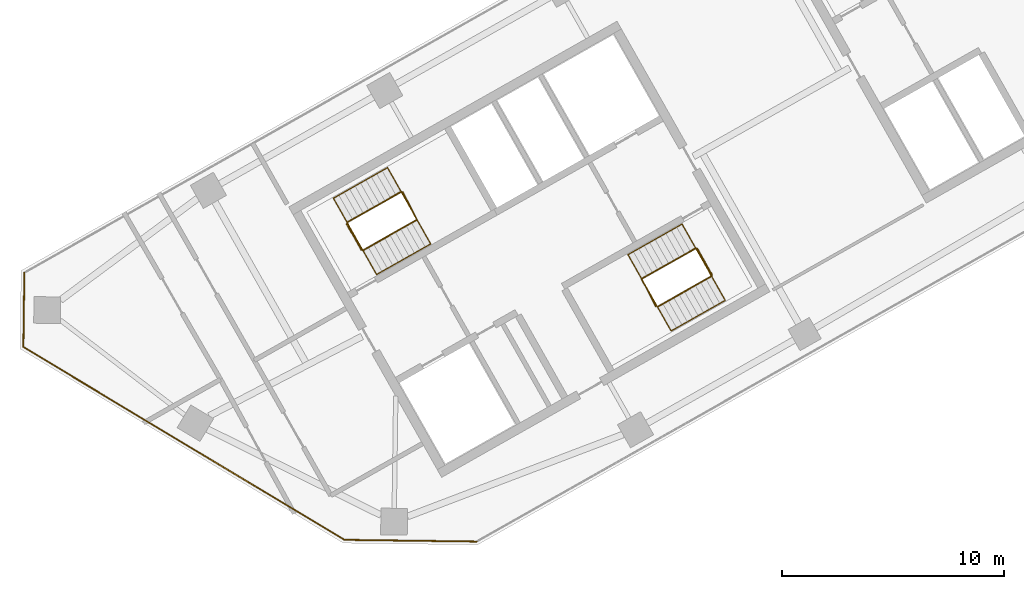
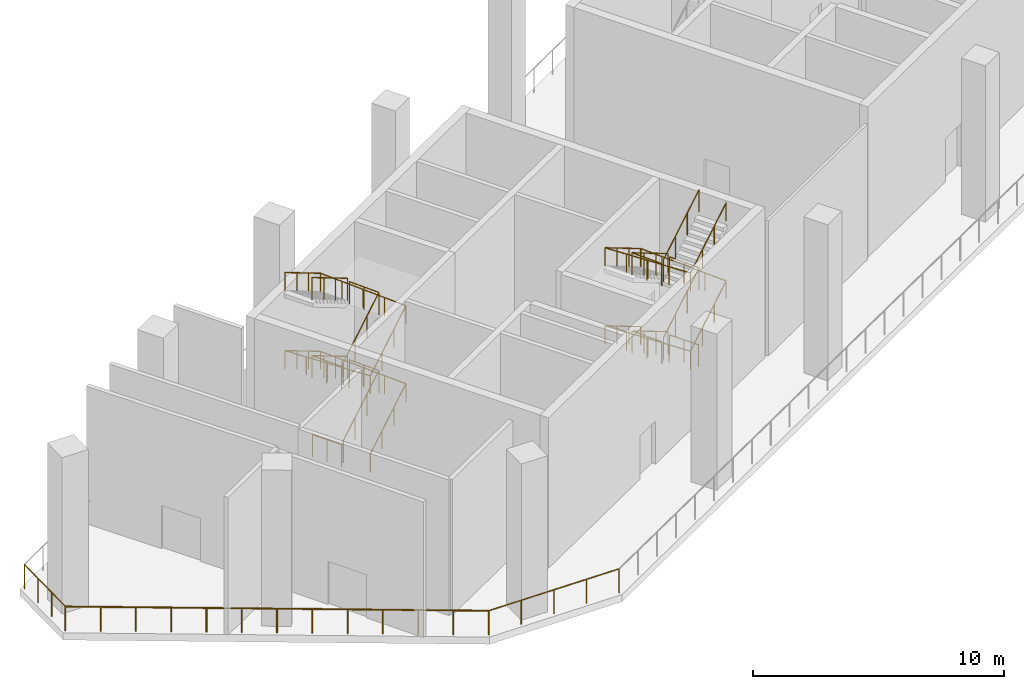
# One storey, part 5 of 6: 15 railings.
"""IFC4 building model written with IfcOpenShell, lengths in metres."""

from ifc_helpers import new_model, si_unit, direction, frame, origin, origin_2d, place, context, subcontext, project, spatial, circle, extrude, material, type_object, element, save


model = new_model("IFC4")

# Units and contexts
model_context = context("Model", 3, precision=1e-05, world=origin(), true_north=direction((0.0, 1.0)))
body_context = subcontext(model_context, "Body", "Model", "MODEL_VIEW")
ifc_project = project(units=[si_unit("LENGTHUNIT", "METRE"), si_unit("AREAUNIT", "SQUARE_METRE"), si_unit("VOLUMEUNIT", "CUBIC_METRE"), si_unit("PLANEANGLEUNIT", "RADIAN"), si_unit("MASSUNIT", "GRAM", prefix="KILO")], contexts=[model_context])

# Site, building, storey
site_placement = place(None, origin())
site = spatial("IfcSite", under=ifc_project, at=site_placement, CompositionType="ELEMENT")
building_placement = place(site_placement, origin())
building = spatial("IfcBuilding", under=site, at=building_placement, Name="Binnacle Exchange Tower", CompositionType="ELEMENT")
storey_placement = place(building_placement, frame((0.0, 0.0, 285.5)))
storey = spatial("IfcBuildingStorey", under=building, at=storey_placement, Name="L64", CompositionType="ELEMENT", Elevation=285.5)

# Railings
ifc_material_1 = material(Name="Bronze anodised aluminium frame", Category="aluminium")
railing_type_1 = type_object("IfcRailingType", Name="GUARD 1200", PredefinedType="GUARDRAIL", material=ifc_material_1)
railing_1_placement = place(storey_placement, frame((-38.136474609375, 26.595703125, 0.0)))
element("IfcRailing", 1, at=railing_1_placement, inside=storey, type_object=railing_type_1, Name="Slab edge guard 2 L64", PredefinedType="GUARDRAIL", context=body_context, shape_type="SweptSolid", body=[
    extrude(circle(Radius=0.02392578125, at=origin_2d()), frame((0.0, 0.0, 1.17578125), z_axis=(-0.999914244792, 0.013095917748, 0.0), x_axis=(-0.013095917748, -0.999914244792, 0.0)), (0.0, 0.0, 1.0), 5.965576171875),
    extrude(circle(Radius=0.02099609375, at=origin_2d()), origin(), (0.0, 0.0, 1.0), 1.15185546875),
    extrude(circle(Radius=0.02099609375, at=origin_2d()), frame((-1.4912109375, 0.01953125, 0.0)), (0.0, 0.0, 1.0), 1.15185546875),
    extrude(circle(Radius=0.02099609375, at=origin_2d()), frame((-2.982421875, 0.0390625, 0.0)), (0.0, 0.0, 1.0), 1.15185546875),
    extrude(circle(Radius=0.02099609375, at=origin_2d()), frame((-4.473876953125, 0.05859375, 0.0)), (0.0, 0.0, 1.0), 1.15185546875),
    extrude(circle(Radius=0.02099609375, at=origin_2d()), frame((-5.965087890625, 0.078125, 0.0)), (0.0, 0.0, 1.0), 1.15185546875),
])
railing_2_placement = place(storey_placement, frame((-44.1015625, 26.673828125, 0.0)))
element("IfcRailing", 2, at=railing_2_placement, inside=storey, type_object=railing_type_1, Name="Slab edge guard 3 L64", PredefinedType="GUARDRAIL", context=body_context, shape_type="SweptSolid", body=[
    extrude(circle(Radius=0.02392578125, at=origin_2d()), frame((0.0, 0.0, 1.17578125), z_axis=(-0.857164642958, 0.515042498113, 0.0), x_axis=(-0.515042498113, -0.857164642958, 0.0)), (0.0, 0.0, 1.0), 16.873291015625),
    extrude(circle(Radius=0.02099609375, at=origin_2d()), origin(), (0.0, 0.0, 1.0), 1.15185546875),
    extrude(circle(Radius=0.02099609375, at=origin_2d()), frame((-1.205322265625, 0.72412109375, 0.0)), (0.0, 0.0, 1.0), 1.15185546875),
    extrude(circle(Radius=0.02099609375, at=origin_2d()), frame((-2.41064453125, 1.448486328125, 0.0)), (0.0, 0.0, 1.0), 1.15185546875),
    extrude(circle(Radius=0.02099609375, at=origin_2d()), frame((-3.61572265625, 2.172607421875, 0.0)), (0.0, 0.0, 1.0), 1.15185546875),
    extrude(circle(Radius=0.02099609375, at=origin_2d()), frame((-4.821044921875, 2.896728515625, 0.0)), (0.0, 0.0, 1.0), 1.15185546875),
    extrude(circle(Radius=0.02099609375, at=origin_2d()), frame((-6.0263671875, 3.62109375, 0.0)), (0.0, 0.0, 1.0), 1.15185546875),
    extrude(circle(Radius=0.02099609375, at=origin_2d()), frame((-7.2314453125, 4.34521484375, 0.0)), (0.0, 0.0, 1.0), 1.15185546875),
    extrude(circle(Radius=0.02099609375, at=origin_2d()), frame((-8.436767578125, 5.0693359375, 0.0)), (0.0, 0.0, 1.0), 1.15185546875),
    extrude(circle(Radius=0.02099609375, at=origin_2d()), frame((-9.64208984375, 5.793701171875, 0.0)), (0.0, 0.0, 1.0), 1.15185546875),
    extrude(circle(Radius=0.02099609375, at=origin_2d()), frame((-10.847412109375, 6.517822265625, 0.0)), (0.0, 0.0, 1.0), 1.15185546875),
    extrude(circle(Radius=0.02099609375, at=origin_2d()), frame((-12.052734375, 7.241943359375, 0.0)), (0.0, 0.0, 1.0), 1.15185546875),
    extrude(circle(Radius=0.02099609375, at=origin_2d()), frame((-13.2578125, 7.96630859375, 0.0)), (0.0, 0.0, 1.0), 1.15185546875),
    extrude(circle(Radius=0.02099609375, at=origin_2d()), frame((-14.463134765625, 8.6904296875, 0.0)), (0.0, 0.0, 1.0), 1.15185546875),
])
railing_3_placement = place(storey_placement, frame((-58.564697265625, 35.3642578125, 0.0)))
element("IfcRailing", 3, at=railing_3_placement, inside=storey, type_object=railing_type_1, Name="Slab edge guard 4 L64", PredefinedType="GUARDRAIL", context=body_context, shape_type="SweptSolid", body=[
    extrude(circle(Radius=0.02392578125, at=origin_2d()), frame((0.0, 0.0, 1.17578125), z_axis=(0.013029395456, 0.999915113824, 0.0), x_axis=(-0.999915113824, 0.013029395456, 0.0)), (0.0, 0.0, 1.0), 3.35400390625),
    extrude(circle(Radius=0.02099609375, at=origin_2d()), origin(), (0.0, 0.0, 1.0), 1.15185546875),
    extrude(circle(Radius=0.02099609375, at=origin_2d()), frame((0.0146484375, 1.117919921875, 0.0)), (0.0, 0.0, 1.0), 1.15185546875),
    extrude(circle(Radius=0.02099609375, at=origin_2d()), frame((0.029052734375, 2.23583984375, 0.0)), (0.0, 0.0, 1.0), 1.15185546875),
    extrude(circle(Radius=0.02099609375, at=origin_2d()), frame((0.043701171875, 3.353759765625, 0.0)), (0.0, 0.0, 1.0), 1.15185546875),
])
ifc_material_2 = material(Name="Steel guard rail", Category="steel")
railing_type_2 = type_object("IfcRailingType", Name="STAIR GUARD 1100", PredefinedType="GUARDRAIL", material=ifc_material_2)
railing_4_placement = place(storey_placement, frame((-43.26171875, 39.71728515625, 0.172607421875)))
element("IfcRailing", 4, at=railing_4_placement, inside=storey, type_object=railing_type_2, Name="L64 STA1 stair guard 1", PredefinedType="GUARDRAIL", context=body_context, shape_type="SweptSolid", body=[
    extrude(circle(Radius=0.02392578125, at=origin_2d()), frame((0.0, 0.0, 1.076171875), z_axis=(0.740737961854, 0.419123222656, 0.525017138862), x_axis=(-0.492453686477, 0.870338650569, 0.0)), (0.0, 0.0, 1.0), 3.2900390625),
    extrude(circle(Radius=0.02392578125, at=origin_2d()), frame((2.43701171875, 1.37890625, 2.80322265625), z_axis=(-0.461100321709, 0.887348011391, 0.0), x_axis=(-0.887348011391, -0.461100321709, 0.0)), (0.0, 0.0, 1.0), 1.40087890625),
    extrude(circle(Radius=0.02099609375, at=origin_2d()), origin(), (0.0, 0.0, 1.0), 1.052001953125),
    extrude(circle(Radius=0.02099609375, at=origin_2d()), frame((0.812255859375, 0.459716796875, 0.57568359375)), (0.0, 0.0, 1.0), 1.052001953125),
    extrude(circle(Radius=0.02099609375, at=origin_2d()), frame((1.624755859375, 0.919189453125, 1.151611328125)), (0.0, 0.0, 1.0), 1.052001953125),
    extrude(circle(Radius=0.02099609375, at=origin_2d()), frame((2.43701171875, 1.37890625, 1.727294921875)), (0.0, 0.0, 1.0), 1.052001953125),
    extrude(circle(Radius=0.02099609375, at=origin_2d()), frame((2.114013671875, 2.00048828125, 1.727294921875)), (0.0, 0.0, 1.0), 1.052001953125),
    extrude(circle(Radius=0.02099609375, at=origin_2d()), frame((1.791015625, 2.6220703125, 1.727294921875)), (0.0, 0.0, 1.0), 1.052001953125),
])
railing_5_placement = place(storey_placement, frame((-41.538818359375, 42.358154296875, 2.07275390625)))
element("IfcRailing", 5, at=railing_5_placement, inside=storey, type_object=railing_type_2, Name="L64 STA1 stair guard 2", PredefinedType="GUARDRAIL", context=body_context, shape_type="SweptSolid", body=[
    extrude(circle(Radius=0.02392578125, at=origin_2d()), frame((0.0, 0.0, 1.076171875), z_axis=(-0.740737961854, -0.419123222656, 0.525017138862), x_axis=(0.492453686477, -0.870338650569, 0.0)), (0.0, 0.0, 1.0), 3.2900390625),
    extrude(circle(Radius=0.02392578125, at=origin_2d()), frame((-2.43701171875, -1.37890625, 2.80322265625), z_axis=(0.461171632143, -0.887310952094, 0.0), x_axis=(0.887310952094, 0.461171632143, 0.0)), (0.0, 0.0, 1.0), 1.40087890625),
    extrude(circle(Radius=0.02099609375, at=origin_2d()), origin(), (0.0, 0.0, 1.0), 1.052001953125),
    extrude(circle(Radius=0.02099609375, at=origin_2d()), frame((-0.812255859375, -0.459716796875, 0.57568359375)), (0.0, 0.0, 1.0), 1.052001953125),
    extrude(circle(Radius=0.02099609375, at=origin_2d()), frame((-1.624755859375, -0.919189453125, 1.151611328125)), (0.0, 0.0, 1.0), 1.052001953125),
    extrude(circle(Radius=0.02099609375, at=origin_2d()), frame((-2.43701171875, -1.37890625, 1.727294921875)), (0.0, 0.0, 1.0), 1.052001953125),
    extrude(circle(Radius=0.02099609375, at=origin_2d()), frame((-2.114013671875, -2.00048828125, 1.727294921875)), (0.0, 0.0, 1.0), 1.052001953125),
    extrude(circle(Radius=0.02099609375, at=origin_2d()), frame((-1.791015625, -2.621826171875, 1.727294921875)), (0.0, 0.0, 1.0), 1.052001953125),
])
railing_6_placement = place(storey_placement, frame((-43.26171875, 39.71728515625, 3.97265625)))
element("IfcRailing", 6, at=railing_6_placement, inside=storey, type_object=railing_type_2, Name="L64 STA1 stair guard 3", PredefinedType="GUARDRAIL", context=body_context, shape_type="SweptSolid", body=[
    extrude(circle(Radius=0.02392578125, at=origin_2d()), frame((0.0, 0.0, 1.076171875), z_axis=(0.740737961854, 0.419123222656, 0.525017138862), x_axis=(-0.492453686477, 0.870338650569, 0.0)), (0.0, 0.0, 1.0), 3.2900390625),
    extrude(circle(Radius=0.02392578125, at=origin_2d()), frame((2.43701171875, 1.37890625, 2.80322265625), z_axis=(-0.461100321709, 0.887348011391, 0.0), x_axis=(-0.887348011391, -0.461100321709, 0.0)), (0.0, 0.0, 1.0), 1.40087890625),
    extrude(circle(Radius=0.02099609375, at=origin_2d()), origin(), (0.0, 0.0, 1.0), 1.052001953125),
    extrude(circle(Radius=0.02099609375, at=origin_2d()), frame((0.812255859375, 0.459716796875, 0.57568359375)), (0.0, 0.0, 1.0), 1.052001953125),
    extrude(circle(Radius=0.02099609375, at=origin_2d()), frame((1.624755859375, 0.919189453125, 1.151611328125)), (0.0, 0.0, 1.0), 1.052001953125),
    extrude(circle(Radius=0.02099609375, at=origin_2d()), frame((2.43701171875, 1.37890625, 1.727294921875)), (0.0, 0.0, 1.0), 1.052001953125),
    extrude(circle(Radius=0.02099609375, at=origin_2d()), frame((2.114013671875, 2.00048828125, 1.727294921875)), (0.0, 0.0, 1.0), 1.052001953125),
    extrude(circle(Radius=0.02099609375, at=origin_2d()), frame((1.791015625, 2.6220703125, 1.727294921875)), (0.0, 0.0, 1.0), 1.052001953125),
])
railing_7_placement = place(storey_placement, frame((-41.538818359375, 42.358154296875, 5.872802734375)))
element("IfcRailing", 7, at=railing_7_placement, inside=storey, type_object=railing_type_2, Name="L64 STA1 stair guard 4", PredefinedType="GUARDRAIL", context=body_context, shape_type="SweptSolid", body=[
    extrude(circle(Radius=0.02392578125, at=origin_2d()), frame((0.0, 0.0, 1.076171875), z_axis=(-0.740737961854, -0.419123222656, 0.525017138862), x_axis=(0.492453686477, -0.870338650569, 0.0)), (0.0, 0.0, 1.0), 3.2900390625),
    extrude(circle(Radius=0.02099609375, at=origin_2d()), origin(), (0.0, 0.0, 1.0), 1.052001953125),
    extrude(circle(Radius=0.02099609375, at=origin_2d()), frame((-0.812255859375, -0.459716796875, 0.57568359375)), (0.0, 0.0, 1.0), 1.052001953125),
    extrude(circle(Radius=0.02099609375, at=origin_2d()), frame((-1.624755859375, -0.919189453125, 1.151611328125)), (0.0, 0.0, 1.0), 1.052001953125),
    extrude(circle(Radius=0.02099609375, at=origin_2d()), frame((-2.43701171875, -1.37890625, 1.727294921875)), (0.0, 0.0, 1.0), 1.052001953125),
])
railing_8_placement = place(storey_placement, frame((-43.329833984375, 39.736328125, 0.0)))
element("IfcRailing", 8, at=railing_8_placement, inside=storey, type_object=railing_type_2, Name="L64 STA1 stair guard 5", PredefinedType="GUARDRAIL", context=body_context, shape_type="SweptSolid", body=[
    extrude(circle(Radius=0.02392578125, at=origin_2d()), frame((0.0, 0.0, 1.076171875), z_axis=(-0.4924922531, 0.870316827734, 0.0), x_axis=(-0.870316827734, -0.4924922531, 0.0)), (0.0, 0.0, 1.0), 1.349853515625),
    extrude(circle(Radius=0.02099609375, at=origin_2d()), origin(), (0.0, 0.0, 1.0), 1.052001953125),
    extrude(circle(Radius=0.02099609375, at=origin_2d()), frame((-0.33251953125, 0.58740234375, 0.0)), (0.0, 0.0, 1.0), 1.052001953125),
    extrude(circle(Radius=0.02099609375, at=origin_2d()), frame((-0.664794921875, 1.1748046875, 0.0)), (0.0, 0.0, 1.0), 1.052001953125),
])
railing_9_placement = place(storey_placement, frame((-28.265380859375, 39.814453125, 0.172607421875)))
element("IfcRailing", 9, at=railing_9_placement, inside=storey, type_object=railing_type_2, Name="L64 STA2 stair guard 1", PredefinedType="GUARDRAIL", context=body_context, shape_type="SweptSolid", body=[
    extrude(circle(Radius=0.02392578125, at=origin_2d()), frame((0.0, 0.0, 1.076171875), z_axis=(-0.740760999345, -0.419062048017, 0.525033467278), x_axis=(0.492387636113, -0.870376019777, 0.0)), (0.0, 0.0, 1.0), 3.289794921875),
    extrude(circle(Radius=0.02392578125, at=origin_2d()), frame((-2.43701171875, -1.378662109375, 2.80322265625), z_axis=(0.460963092712, -0.887419307406, 0.0), x_axis=(0.887419307406, 0.460963092712, 0.0)), (0.0, 0.0, 1.0), 1.40087890625),
    extrude(circle(Radius=0.02099609375, at=origin_2d()), origin(), (0.0, 0.0, 1.0), 1.052001953125),
    extrude(circle(Radius=0.02099609375, at=origin_2d()), frame((-0.812255859375, -0.45947265625, 0.57568359375)), (0.0, 0.0, 1.0), 1.052001953125),
    extrude(circle(Radius=0.02099609375, at=origin_2d()), frame((-1.624755859375, -0.919189453125, 1.151611328125)), (0.0, 0.0, 1.0), 1.052001953125),
    extrude(circle(Radius=0.02099609375, at=origin_2d()), frame((-2.43701171875, -1.378662109375, 1.727294921875)), (0.0, 0.0, 1.0), 1.052001953125),
    extrude(circle(Radius=0.02099609375, at=origin_2d()), frame((-2.1142578125, -2.000244140625, 1.727294921875)), (0.0, 0.0, 1.0), 1.052001953125),
    extrude(circle(Radius=0.02099609375, at=origin_2d()), frame((-1.791259765625, -2.621826171875, 1.727294921875)), (0.0, 0.0, 1.0), 1.052001953125),
])
railing_10_placement = place(storey_placement, frame((-29.988525390625, 37.173583984375, 2.07275390625)))
element("IfcRailing", 10, at=railing_10_placement, inside=storey, type_object=railing_type_2, Name="L64 STA2 stair guard 2", PredefinedType="GUARDRAIL", context=body_context, shape_type="SweptSolid", body=[
    extrude(circle(Radius=0.02392578125, at=origin_2d()), frame((0.0, 0.0, 1.076171875), z_axis=(0.740737961854, 0.419123222656, 0.525017138862), x_axis=(-0.492453686477, 0.870338650569, 0.0)), (0.0, 0.0, 1.0), 3.2900390625),
    extrude(circle(Radius=0.02392578125, at=origin_2d()), frame((2.43701171875, 1.37890625, 2.80322265625), z_axis=(-0.460963092712, 0.887419307406, 0.0), x_axis=(-0.887419307406, -0.460963092712, 0.0)), (0.0, 0.0, 1.0), 1.40087890625),
    extrude(circle(Radius=0.02099609375, at=origin_2d()), origin(), (0.0, 0.0, 1.0), 1.052001953125),
    extrude(circle(Radius=0.02099609375, at=origin_2d()), frame((0.812255859375, 0.459716796875, 0.57568359375)), (0.0, 0.0, 1.0), 1.052001953125),
    extrude(circle(Radius=0.02099609375, at=origin_2d()), frame((1.624755859375, 0.919189453125, 1.151611328125)), (0.0, 0.0, 1.0), 1.052001953125),
    extrude(circle(Radius=0.02099609375, at=origin_2d()), frame((2.43701171875, 1.37890625, 1.727294921875)), (0.0, 0.0, 1.0), 1.052001953125),
    extrude(circle(Radius=0.02099609375, at=origin_2d()), frame((2.1142578125, 2.00048828125, 1.727294921875)), (0.0, 0.0, 1.0), 1.052001953125),
    extrude(circle(Radius=0.02099609375, at=origin_2d()), frame((1.791259765625, 2.6220703125, 1.727294921875)), (0.0, 0.0, 1.0), 1.052001953125),
])
railing_11_placement = place(storey_placement, frame((-28.265380859375, 39.814453125, 3.97265625)))
element("IfcRailing", 11, at=railing_11_placement, inside=storey, type_object=railing_type_2, Name="L64 STA2 stair guard 3", PredefinedType="GUARDRAIL", context=body_context, shape_type="SweptSolid", body=[
    extrude(circle(Radius=0.02392578125, at=origin_2d()), frame((0.0, 0.0, 1.076171875), z_axis=(-0.740760999345, -0.419062048017, 0.525033467278), x_axis=(0.492387636113, -0.870376019777, 0.0)), (0.0, 0.0, 1.0), 3.289794921875),
    extrude(circle(Radius=0.02392578125, at=origin_2d()), frame((-2.43701171875, -1.378662109375, 2.80322265625), z_axis=(0.460963092712, -0.887419307406, 0.0), x_axis=(0.887419307406, 0.460963092712, 0.0)), (0.0, 0.0, 1.0), 1.40087890625),
    extrude(circle(Radius=0.02099609375, at=origin_2d()), origin(), (0.0, 0.0, 1.0), 1.052001953125),
    extrude(circle(Radius=0.02099609375, at=origin_2d()), frame((-0.812255859375, -0.45947265625, 0.57568359375)), (0.0, 0.0, 1.0), 1.052001953125),
    extrude(circle(Radius=0.02099609375, at=origin_2d()), frame((-1.624755859375, -0.919189453125, 1.151611328125)), (0.0, 0.0, 1.0), 1.052001953125),
    extrude(circle(Radius=0.02099609375, at=origin_2d()), frame((-2.43701171875, -1.378662109375, 1.727294921875)), (0.0, 0.0, 1.0), 1.052001953125),
    extrude(circle(Radius=0.02099609375, at=origin_2d()), frame((-2.1142578125, -2.000244140625, 1.727294921875)), (0.0, 0.0, 1.0), 1.052001953125),
    extrude(circle(Radius=0.02099609375, at=origin_2d()), frame((-1.791259765625, -2.621826171875, 1.727294921875)), (0.0, 0.0, 1.0), 1.052001953125),
])
railing_12_placement = place(storey_placement, frame((-29.988525390625, 37.173583984375, 5.872802734375)))
element("IfcRailing", 12, at=railing_12_placement, inside=storey, type_object=railing_type_2, Name="L64 STA2 stair guard 4", PredefinedType="GUARDRAIL", context=body_context, shape_type="SweptSolid", body=[
    extrude(circle(Radius=0.02392578125, at=origin_2d()), frame((0.0, 0.0, 1.076171875), z_axis=(0.740737961854, 0.419123222656, 0.525017138862), x_axis=(-0.492453686477, 0.870338650569, 0.0)), (0.0, 0.0, 1.0), 3.2900390625),
    extrude(circle(Radius=0.02099609375, at=origin_2d()), origin(), (0.0, 0.0, 1.0), 1.052001953125),
    extrude(circle(Radius=0.02099609375, at=origin_2d()), frame((0.812255859375, 0.459716796875, 0.57568359375)), (0.0, 0.0, 1.0), 1.052001953125),
    extrude(circle(Radius=0.02099609375, at=origin_2d()), frame((1.624755859375, 0.919189453125, 1.151611328125)), (0.0, 0.0, 1.0), 1.052001953125),
    extrude(circle(Radius=0.02099609375, at=origin_2d()), frame((2.43701171875, 1.37890625, 1.727294921875)), (0.0, 0.0, 1.0), 1.052001953125),
])
railing_13_placement = place(storey_placement, frame((-28.197265625, 39.795654296875, 0.0)))
element("IfcRailing", 13, at=railing_13_placement, inside=storey, type_object=railing_type_2, Name="L64 STA2 stair guard 5", PredefinedType="GUARDRAIL", context=body_context, shape_type="SweptSolid", body=[
    extrude(circle(Radius=0.02392578125, at=origin_2d()), frame((0.0, 0.0, 1.076171875), z_axis=(0.49241474071, -0.870360685654, 0.0), x_axis=(0.870360685654, 0.49241474071, 0.0)), (0.0, 0.0, 1.0), 1.35009765625),
    extrude(circle(Radius=0.02099609375, at=origin_2d()), origin(), (0.0, 0.0, 1.0), 1.052001953125),
    extrude(circle(Radius=0.02099609375, at=origin_2d()), frame((0.33251953125, -0.58740234375, 0.0)), (0.0, 0.0, 1.0), 1.052001953125),
    extrude(circle(Radius=0.02099609375, at=origin_2d()), frame((0.664794921875, -1.175048828125, 0.0)), (0.0, 0.0, 1.0), 1.052001953125),
])
ifc_material_3 = material(Name="Steel handrail", Category="steel")
railing_type_3 = type_object("IfcRailingType", Name="STAIR HANDRAIL 900", PredefinedType="HANDRAIL", material=ifc_material_3)
railing_14_placement = place(storey_placement, frame((-42.646240234375, 38.62939453125, 0.172607421875)))
element("IfcRailing", 14, at=railing_14_placement, inside=storey, type_object=railing_type_3, Name="L64 STA1 stair handrail 1", PredefinedType="HANDRAIL", context=body_context, shape_type="SweptSolid", body=[
    extrude(circle(Radius=0.02392578125, at=origin_2d()), frame((0.0, 0.0, 0.8759765625), z_axis=(0.740760999345, 0.419062048017, 0.525033467278), x_axis=(-0.492387636113, 0.870376019777, 0.0)), (0.0, 0.0, 1.0), 3.289794921875),
    extrude(circle(Radius=0.02392578125, at=origin_2d()), frame((2.43701171875, 1.378662109375, 2.60302734375), z_axis=(-0.491942846455, 0.869529203437, 0.043717275673), x_axis=(-0.870361318571, -0.492413622004, 0.0)), (0.0, 0.0, 1.0), 3.953857421875),
    extrude(circle(Radius=0.02392578125, at=origin_2d()), frame((0.491943359375, 4.816650390625, 2.77587890625), z_axis=(-0.740760999345, -0.419062048017, 0.525033467278), x_axis=(0.492387636113, -0.870376019777, 0.0)), (0.0, 0.0, 1.0), 3.289794921875),
    extrude(circle(Radius=0.02392578125, at=origin_2d()), frame((-1.945068359375, 3.43798828125, 4.50341796875), z_axis=(0.491944173491, -0.869531549026, 0.043655645871), x_axis=(0.870361318571, 0.492413622004, 0.0)), (0.0, 0.0, 1.0), 3.953857421875),
    extrude(circle(Radius=0.02392578125, at=origin_2d()), frame((0.0, 0.0, 4.67578125), z_axis=(0.740760999345, 0.419062048017, 0.525033467278), x_axis=(-0.492387636113, 0.870376019777, 0.0)), (0.0, 0.0, 1.0), 3.289794921875),
    extrude(circle(Radius=0.02392578125, at=origin_2d()), frame((2.43701171875, 1.378662109375, 6.4033203125), z_axis=(-0.491942846455, 0.869529203437, 0.043717275673), x_axis=(-0.870361318571, -0.492413622004, 0.0)), (0.0, 0.0, 1.0), 3.953857421875),
    extrude(circle(Radius=0.02392578125, at=origin_2d()), frame((0.491943359375, 4.816650390625, 6.576171875), z_axis=(-0.740760999345, -0.419062048017, 0.525033467278), x_axis=(0.492387636113, -0.870376019777, 0.0)), (0.0, 0.0, 1.0), 3.289794921875),
    extrude(circle(Radius=0.02099609375, at=origin_2d()), origin(), (0.0, 0.0, 1.0), 0.851806640625),
    extrude(circle(Radius=0.02099609375, at=origin_2d()), frame((0.812255859375, 0.45947265625, 0.57568359375)), (0.0, 0.0, 1.0), 0.851806640625),
    extrude(circle(Radius=0.02099609375, at=origin_2d()), frame((1.624755859375, 0.919189453125, 1.151611328125)), (0.0, 0.0, 1.0), 0.851806640625),
    extrude(circle(Radius=0.02099609375, at=origin_2d()), frame((2.43701171875, 1.378662109375, 1.727294921875)), (0.0, 0.0, 1.0), 0.851806640625),
    extrude(circle(Radius=0.02099609375, at=origin_2d()), frame((1.95068359375, 2.23828125, 1.7705078125)), (0.0, 0.0, 1.0), 0.851806640625),
    extrude(circle(Radius=0.02099609375, at=origin_2d()), frame((1.46435546875, 3.09765625, 1.813720703125)), (0.0, 0.0, 1.0), 0.851806640625),
    extrude(circle(Radius=0.02099609375, at=origin_2d()), frame((0.978271484375, 3.95703125, 1.85693359375)), (0.0, 0.0, 1.0), 0.851806640625),
    extrude(circle(Radius=0.02099609375, at=origin_2d()), frame((0.491943359375, 4.816650390625, 1.900146484375)), (0.0, 0.0, 1.0), 0.851806640625),
    extrude(circle(Radius=0.02099609375, at=origin_2d()), frame((-0.3203125, 4.357177734375, 2.475830078125)), (0.0, 0.0, 1.0), 0.851806640625),
    extrude(circle(Radius=0.02099609375, at=origin_2d()), frame((-1.1328125, 3.8974609375, 3.0517578125)), (0.0, 0.0, 1.0), 0.851806640625),
    extrude(circle(Radius=0.02099609375, at=origin_2d()), frame((-1.945068359375, 3.43798828125, 3.62744140625)), (0.0, 0.0, 1.0), 0.851806640625),
    extrude(circle(Radius=0.02099609375, at=origin_2d()), frame((-1.458740234375, 2.57861328125, 3.670654296875)), (0.0, 0.0, 1.0), 0.851806640625),
    extrude(circle(Radius=0.02099609375, at=origin_2d()), frame((-0.97265625, 1.718994140625, 3.7138671875)), (0.0, 0.0, 1.0), 0.851806640625),
    extrude(circle(Radius=0.02099609375, at=origin_2d()), frame((-0.486328125, 0.859375, 3.7568359375)), (0.0, 0.0, 1.0), 0.851806640625),
    extrude(circle(Radius=0.02099609375, at=origin_2d()), frame((0.0, 0.0, 3.800048828125)), (0.0, 0.0, 1.0), 0.851806640625),
    extrude(circle(Radius=0.02099609375, at=origin_2d()), frame((0.812255859375, 0.45947265625, 4.375732421875)), (0.0, 0.0, 1.0), 0.851806640625),
    extrude(circle(Radius=0.02099609375, at=origin_2d()), frame((1.624755859375, 0.919189453125, 4.95166015625)), (0.0, 0.0, 1.0), 0.851806640625),
    extrude(circle(Radius=0.02099609375, at=origin_2d()), frame((2.43701171875, 1.378662109375, 5.52734375)), (0.0, 0.0, 1.0), 0.851806640625),
    extrude(circle(Radius=0.02099609375, at=origin_2d()), frame((1.95068359375, 2.23828125, 5.570556640625)), (0.0, 0.0, 1.0), 0.851806640625),
    extrude(circle(Radius=0.02099609375, at=origin_2d()), frame((1.46435546875, 3.09765625, 5.61376953125)), (0.0, 0.0, 1.0), 0.851806640625),
    extrude(circle(Radius=0.02099609375, at=origin_2d()), frame((0.978271484375, 3.95703125, 5.656982421875)), (0.0, 0.0, 1.0), 0.851806640625),
    extrude(circle(Radius=0.02099609375, at=origin_2d()), frame((0.491943359375, 4.816650390625, 5.7001953125)), (0.0, 0.0, 1.0), 0.851806640625),
    extrude(circle(Radius=0.02099609375, at=origin_2d()), frame((-0.3203125, 4.357177734375, 6.27587890625)), (0.0, 0.0, 1.0), 0.851806640625),
    extrude(circle(Radius=0.02099609375, at=origin_2d()), frame((-1.1328125, 3.8974609375, 6.851806640625)), (0.0, 0.0, 1.0), 0.851806640625),
    extrude(circle(Radius=0.02099609375, at=origin_2d()), frame((-1.945068359375, 3.43798828125, 7.427490234375)), (0.0, 0.0, 1.0), 0.851806640625),
])
railing_15_placement = place(storey_placement, frame((-28.880859375, 40.90234375, 0.172607421875)))
element("IfcRailing", 15, at=railing_15_placement, inside=storey, type_object=railing_type_3, Name="L64 STA2 stair handrail 1", PredefinedType="HANDRAIL", context=body_context, shape_type="SweptSolid", body=[
    extrude(circle(Radius=0.02392578125, at=origin_2d()), frame((0.0, 0.0, 0.8759765625), z_axis=(-0.740760999345, -0.419062048017, 0.525033467278), x_axis=(0.492387636113, -0.870376019777, 0.0)), (0.0, 0.0, 1.0), 3.289794921875),
    extrude(circle(Radius=0.02392578125, at=origin_2d()), frame((-2.43701171875, -1.378662109375, 2.60302734375), z_axis=(0.491942846455, -0.869529203437, 0.043717275673), x_axis=(0.870361318571, 0.492413622004, 0.0)), (0.0, 0.0, 1.0), 3.953857421875),
    extrude(circle(Radius=0.02392578125, at=origin_2d()), frame((-0.491943359375, -4.816650390625, 2.77587890625), z_axis=(0.740737961854, 0.419123222656, 0.525017138862), x_axis=(-0.492453686477, 0.870338650569, 0.0)), (0.0, 0.0, 1.0), 3.2900390625),
    extrude(circle(Radius=0.02392578125, at=origin_2d()), frame((1.945068359375, -3.437744140625, 4.50341796875), z_axis=(-0.49197058795, 0.869516486623, 0.043657989918), x_axis=(-0.87034633103, -0.492440112159, 0.0)), (0.0, 0.0, 1.0), 3.95361328125),
    extrude(circle(Radius=0.02392578125, at=origin_2d()), frame((0.0, 0.0, 4.67578125), z_axis=(-0.740760999345, -0.419062048017, 0.525033467278), x_axis=(0.492387636113, -0.870376019777, 0.0)), (0.0, 0.0, 1.0), 3.289794921875),
    extrude(circle(Radius=0.02392578125, at=origin_2d()), frame((-2.43701171875, -1.378662109375, 6.4033203125), z_axis=(0.491942846455, -0.869529203437, 0.043717275673), x_axis=(0.870361318571, 0.492413622004, 0.0)), (0.0, 0.0, 1.0), 3.953857421875),
    extrude(circle(Radius=0.02392578125, at=origin_2d()), frame((-0.491943359375, -4.816650390625, 6.576171875), z_axis=(0.740737961854, 0.419123222656, 0.525017138862), x_axis=(-0.492453686477, 0.870338650569, 0.0)), (0.0, 0.0, 1.0), 3.2900390625),
    extrude(circle(Radius=0.02099609375, at=origin_2d()), origin(), (0.0, 0.0, 1.0), 0.851806640625),
    extrude(circle(Radius=0.02099609375, at=origin_2d()), frame((-0.812255859375, -0.45947265625, 0.57568359375)), (0.0, 0.0, 1.0), 0.851806640625),
    extrude(circle(Radius=0.02099609375, at=origin_2d()), frame((-1.624755859375, -0.919189453125, 1.151611328125)), (0.0, 0.0, 1.0), 0.851806640625),
    extrude(circle(Radius=0.02099609375, at=origin_2d()), frame((-2.43701171875, -1.378662109375, 1.727294921875)), (0.0, 0.0, 1.0), 0.851806640625),
    extrude(circle(Radius=0.02099609375, at=origin_2d()), frame((-1.95068359375, -2.23828125, 1.7705078125)), (0.0, 0.0, 1.0), 0.851806640625),
    extrude(circle(Radius=0.02099609375, at=origin_2d()), frame((-1.46435546875, -3.09765625, 1.813720703125)), (0.0, 0.0, 1.0), 0.851806640625),
    extrude(circle(Radius=0.02099609375, at=origin_2d()), frame((-0.978271484375, -3.95703125, 1.85693359375)), (0.0, 0.0, 1.0), 0.851806640625),
    extrude(circle(Radius=0.02099609375, at=origin_2d()), frame((-0.491943359375, -4.816650390625, 1.900146484375)), (0.0, 0.0, 1.0), 0.851806640625),
    extrude(circle(Radius=0.02099609375, at=origin_2d()), frame((0.3203125, -4.35693359375, 2.475830078125)), (0.0, 0.0, 1.0), 0.851806640625),
    extrude(circle(Radius=0.02099609375, at=origin_2d()), frame((1.1328125, -3.8974609375, 3.0517578125)), (0.0, 0.0, 1.0), 0.851806640625),
    extrude(circle(Radius=0.02099609375, at=origin_2d()), frame((1.945068359375, -3.437744140625, 3.62744140625)), (0.0, 0.0, 1.0), 0.851806640625),
    extrude(circle(Radius=0.02099609375, at=origin_2d()), frame((1.458740234375, -2.578369140625, 3.670654296875)), (0.0, 0.0, 1.0), 0.851806640625),
    extrude(circle(Radius=0.02099609375, at=origin_2d()), frame((0.97265625, -1.71875, 3.7138671875)), (0.0, 0.0, 1.0), 0.851806640625),
    extrude(circle(Radius=0.02099609375, at=origin_2d()), frame((0.486328125, -0.859375, 3.7568359375)), (0.0, 0.0, 1.0), 0.851806640625),
    extrude(circle(Radius=0.02099609375, at=origin_2d()), frame((0.0, 0.0, 3.800048828125)), (0.0, 0.0, 1.0), 0.851806640625),
    extrude(circle(Radius=0.02099609375, at=origin_2d()), frame((-0.812255859375, -0.45947265625, 4.375732421875)), (0.0, 0.0, 1.0), 0.851806640625),
    extrude(circle(Radius=0.02099609375, at=origin_2d()), frame((-1.624755859375, -0.919189453125, 4.95166015625)), (0.0, 0.0, 1.0), 0.851806640625),
    extrude(circle(Radius=0.02099609375, at=origin_2d()), frame((-2.43701171875, -1.378662109375, 5.52734375)), (0.0, 0.0, 1.0), 0.851806640625),
    extrude(circle(Radius=0.02099609375, at=origin_2d()), frame((-1.95068359375, -2.23828125, 5.570556640625)), (0.0, 0.0, 1.0), 0.851806640625),
    extrude(circle(Radius=0.02099609375, at=origin_2d()), frame((-1.46435546875, -3.09765625, 5.61376953125)), (0.0, 0.0, 1.0), 0.851806640625),
    extrude(circle(Radius=0.02099609375, at=origin_2d()), frame((-0.978271484375, -3.95703125, 5.656982421875)), (0.0, 0.0, 1.0), 0.851806640625),
    extrude(circle(Radius=0.02099609375, at=origin_2d()), frame((-0.491943359375, -4.816650390625, 5.7001953125)), (0.0, 0.0, 1.0), 0.851806640625),
    extrude(circle(Radius=0.02099609375, at=origin_2d()), frame((0.3203125, -4.35693359375, 6.27587890625)), (0.0, 0.0, 1.0), 0.851806640625),
    extrude(circle(Radius=0.02099609375, at=origin_2d()), frame((1.1328125, -3.8974609375, 6.851806640625)), (0.0, 0.0, 1.0), 0.851806640625),
    extrude(circle(Radius=0.02099609375, at=origin_2d()), frame((1.945068359375, -3.437744140625, 7.427490234375)), (0.0, 0.0, 1.0), 0.851806640625),
])

save(model, "model.ifc")
